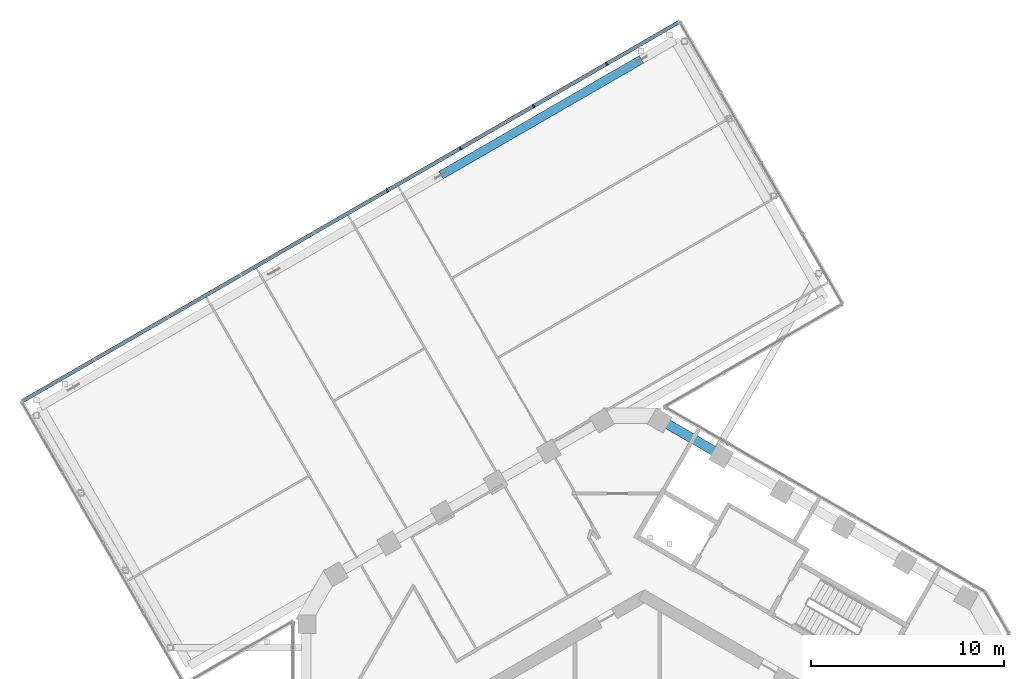
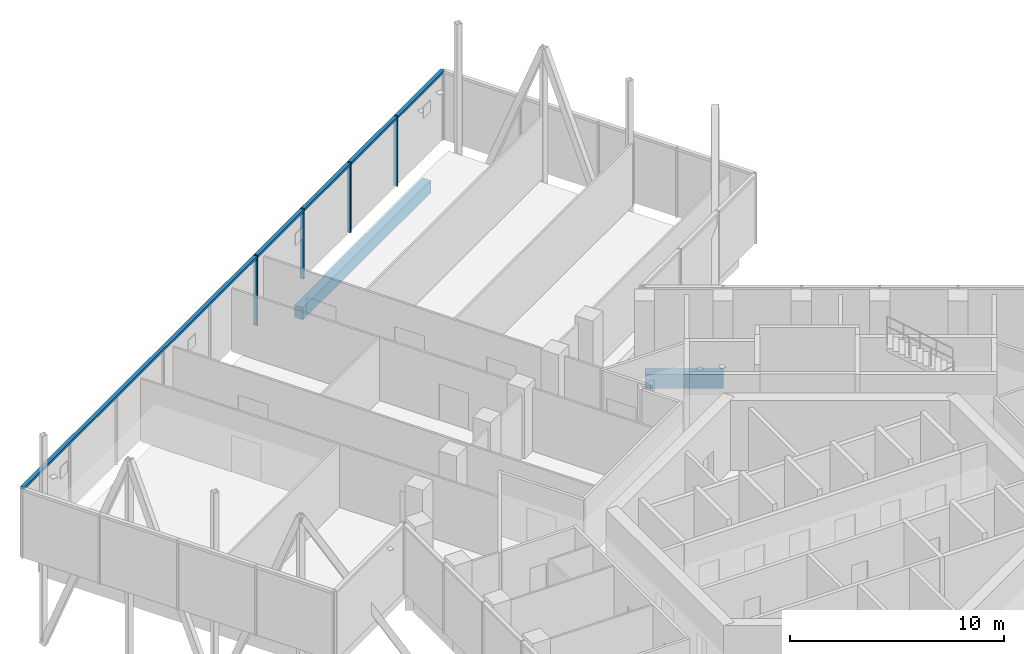
# One storey, part 6 of 21: 5 members, 2 beams, 1 element without a shape of its own.
"""IFC4 building model written with IfcOpenShell, lengths in metres."""

import ifcopenshell
import ifcopenshell.guid

model = None  # the IFC model being written
_history = None  # IfcOwnerHistory: only IFC2X3 demands one
_inside = {}  # id of a spatial element -> (the spatial element, [elements in it])
_under = {}  # id of a project, library or spatial element -> (it, [spatial elements below it])
_declared = {}  # id of a project -> (the project, [libraries it declares])
_typed = {}  # id of a type object -> (the type object, [elements of that type])
_made_of = {}  # id of a material, layer set ... -> (it, [elements and type objects made of it])


def new_model(schema):
    """Start an empty IFC model of exactly this schema.

    Asked for "IFC4X3", IfcOpenShell would pick the latest addendum, in which some entities
    have other attributes; the version numbers below select the first issue.
    IFC2X3 requires an IfcOwnerHistory on every rooted entity: one is made here for all.
    """
    global model, _history
    if schema == "IFC4X3":
        model = ifcopenshell.file(schema_version=(4, 3, 0, 0))
    else:
        model = ifcopenshell.file(schema=schema)
    _inside.clear()
    _under.clear()
    _declared.clear()
    _typed.clear()
    _made_of.clear()
    _history = None
    if model.schema == "IFC2X3":
        org = make("IfcOrganization", Name="unknown")
        user = make(
            "IfcPersonAndOrganization",
            ThePerson=make("IfcPerson", FamilyName="unknown"),
            TheOrganization=org,
        )
        app = make(
            "IfcApplication",
            ApplicationDeveloper=org,
            Version="unknown",
            ApplicationFullName="unknown",
            ApplicationIdentifier="unknown",
        )
        _history = make(
            "IfcOwnerHistory",
            OwningUser=user,
            OwningApplication=app,
            ChangeAction="ADDED",
            CreationDate=0,
        )
    return model


def make(cls, **values):
    """One entity of the class cls with the attributes given. An attribute that is None is left unset."""
    return model.create_entity(
        cls, **{name: value for name, value in values.items() if value is not None}
    )


def rooted(cls, **values):
    """An entity with a GlobalId (a new one), such as an element, a storey or a relation."""
    return make(cls, GlobalId=ifcopenshell.guid.new(), OwnerHistory=_history, **values)


def si_unit(unit_type, name, prefix=None):
    """IfcSIUnit, for example si_unit("LENGTHUNIT", "METRE", prefix="MILLI")."""
    return make("IfcSIUnit", UnitType=unit_type, Prefix=prefix, Name=name)


def assignment(units):
    """IfcUnitAssignment: the units of a project."""
    return None if units is None else make("IfcUnitAssignment", Units=units)


def point(xyz):
    """IfcCartesianPoint."""
    return None if xyz is None else make("IfcCartesianPoint", Coordinates=xyz)


def direction(xyz):
    """IfcDirection."""
    return None if xyz is None else make("IfcDirection", DirectionRatios=xyz)


def frame(location, z_axis=None, x_axis=None):
    """IfcAxis2Placement3D, a coordinate frame: its origin and axes. An axis left out is left unset."""
    return make(
        "IfcAxis2Placement3D",
        Location=point(location),
        Axis=direction(z_axis),
        RefDirection=direction(x_axis),
    )


def frame_2d(location, x_axis=None):
    """IfcAxis2Placement2D, a coordinate frame in the plane: its origin and x axis."""
    return make(
        "IfcAxis2Placement2D", Location=point(location), RefDirection=direction(x_axis)
    )


def origin():
    """The frame at (0, 0, 0) with its axes left unset."""
    return frame((0.0, 0.0, 0.0))


def origin_2d():
    """The frame at (0, 0) in the plane with its x axis left unset."""
    return frame_2d((0.0, 0.0))


def place(relative_to, where):
    """IfcLocalPlacement: puts the frame where relative to a parent placement (None: the world)."""
    return make(
        "IfcLocalPlacement", PlacementRelTo=relative_to, RelativePlacement=where
    )


def context(
    kind, dimensions, precision=None, world=None, true_north=None, identifier=None
):
    """IfcGeometricRepresentationContext, for example the 3D "Model" context."""
    return make(
        "IfcGeometricRepresentationContext",
        ContextIdentifier=identifier,
        ContextType=kind,
        CoordinateSpaceDimension=dimensions,
        Precision=precision,
        WorldCoordinateSystem=world,
        TrueNorth=true_north,
    )


def subcontext(parent, identifier, kind, view, scale=None):
    """IfcGeometricRepresentationSubContext, for example "Body" below "Model"."""
    return make(
        "IfcGeometricRepresentationSubContext",
        ContextIdentifier=identifier,
        ContextType=kind,
        ParentContext=parent,
        TargetScale=scale,
        TargetView=view,
    )


def project(units=None, contexts=None):
    """IfcProject with its units and contexts."""
    return rooted(
        "IfcProject",
        Name="project",
        RepresentationContexts=contexts,
        UnitsInContext=assignment(units),
    )


def spatial(cls, under=None, at=None, **own):
    """A site, building, storey or space (cls), placed at a placement, below another one or the project."""
    s = rooted(cls, ObjectPlacement=at, **own)
    if under is not None:
        _under.setdefault(under.id(), (under, []))[1].append(s)
    return s


def profile(cls, at=None, kind="AREA", **sizes):
    """A parametric profile (cls). Its sizes go by their IFC names, for example OverallWidth=200.0."""
    return make(cls, ProfileType=kind, Position=at, **sizes)


def rectangle(**sizes):
    """IfcRectangleProfileDef."""
    return profile("IfcRectangleProfileDef", **sizes)


def extrude(swept, where, along, depth):
    """IfcExtrudedAreaSolid: the profile swept, set in the frame where, extruded along a direction by depth."""
    return make(
        "IfcExtrudedAreaSolid",
        SweptArea=swept,
        Position=where,
        ExtrudedDirection=direction(along),
        Depth=depth,
    )


def shape(context_of_items, identifier, shape_type, items):
    """IfcShapeRepresentation: the items that make up one representation, for example the "Body"."""
    return make(
        "IfcShapeRepresentation",
        ContextOfItems=context_of_items,
        RepresentationIdentifier=identifier,
        RepresentationType=shape_type,
        Items=items,
    )


def material(Name=None, Category=None):
    """IfcMaterial."""
    return make("IfcMaterial", Name=Name, Category=Category)


def layer(
    of_material, thickness, ventilated=None, Name=None, Category=None, Priority=None
):
    """IfcMaterialLayer: one layer of a wall or slab, of a material (None: an air gap)."""
    return make(
        "IfcMaterialLayer",
        Material=of_material,
        LayerThickness=thickness,
        IsVentilated=ventilated,
        Name=Name,
        Category=Category,
        Priority=Priority,
    )


def layer_set(layers, Name=None):
    """IfcMaterialLayerSet."""
    return make("IfcMaterialLayerSet", MaterialLayers=layers, LayerSetName=Name)


def material_profile(
    of_material, cross_section, Name=None, Category=None, Priority=None
):
    """IfcMaterialProfile: a cross section and its material."""
    return make(
        "IfcMaterialProfile",
        Name=Name,
        Material=of_material,
        Profile=cross_section,
        Priority=Priority,
        Category=Category,
    )


def profile_set(profiles, Name=None, composite=None):
    """IfcMaterialProfileSet."""
    return make(
        "IfcMaterialProfileSet",
        Name=Name,
        MaterialProfiles=profiles,
        CompositeProfile=composite,
    )


def made_of(thing, what):
    """Note that an element or type object is made of a material, layer set ...; save() writes the relation."""
    if what is not None:
        _made_of.setdefault(what.id(), (what, []))[1].append(thing)
    return thing


def type_object(cls, material=None, **own):
    """A type object (cls), such as IfcWallType, which elements share."""
    return made_of(rooted(cls, **own), material)


def element(
    cls,
    number,
    at=None,
    inside=None,
    cuts=None,
    type_object=None,
    material=None,
    context=None,
    identifier="Body",
    shape_type=None,
    held_by="IfcProductDefinitionShape",
    body=None,
    shapes=None,
    **own,
):
    """One element of the class cls, such as IfcWall. Its Tag is "e" and its number.

    at: its placement. inside: the storey or other place that contains it. cuts: it is an
    opening in that element (IfcRelVoidsElement). A single representation is given by context,
    identifier, shape_type and body (its items); several are given by shapes. held_by: the class
    of the entity that holds the representations. save() writes the other relations.
    """
    e = rooted(cls, Tag="e%d" % number, ObjectPlacement=at, **own)
    if body is not None:
        shapes = [shape(context, identifier, shape_type, body)]
    if shapes is not None:
        e.Representation = make(held_by, Representations=shapes)
    if inside is not None:
        _inside.setdefault(inside.id(), (inside, []))[1].append(e)
    if cuts is not None:
        rooted(
            "IfcRelVoidsElement", RelatingBuildingElement=cuts, RelatedOpeningElement=e
        )
    if type_object is not None:
        _typed.setdefault(type_object.id(), (type_object, []))[1].append(e)
    return made_of(e, material)


def aggregate(whole, parts):
    """IfcRelAggregates: a whole, such as a stair, and the parts it consists of."""
    return rooted("IfcRelAggregates", RelatingObject=whole, RelatedObjects=parts)


def save(model, path):
    """Write the relations noted so far, then the file.

    IfcRelAggregates (storeys below a building ...), IfcRelContainedInSpatialStructure (elements
    in a storey), IfcRelDefinesByType, IfcRelAssociatesMaterial and IfcRelDeclares: one each for
    every whole, place, type object, material and project.
    """
    for whole, parts in _under.values():
        aggregate(whole, parts)
    for where, things in _inside.values():
        rooted(
            "IfcRelContainedInSpatialStructure",
            RelatedElements=things,
            RelatingStructure=where,
        )
    for kind, things in _typed.values():
        rooted("IfcRelDefinesByType", RelatedObjects=things, RelatingType=kind)
    for what, things in _made_of.values():
        rooted("IfcRelAssociatesMaterial", RelatedObjects=things, RelatingMaterial=what)
    for by, libraries in _declared.values():
        rooted("IfcRelDeclares", RelatingContext=by, RelatedDefinitions=libraries)
    model.write(path)


model = new_model("IFC4")

# Units and contexts
model_context = context("Model", 3, precision=1e-05, world=origin(), true_north=direction((0.0, 1.0)))
body_context = subcontext(model_context, "Body", "Model", "MODEL_VIEW")
ifc_project = project(units=[si_unit("LENGTHUNIT", "METRE"), si_unit("AREAUNIT", "SQUARE_METRE"), si_unit("VOLUMEUNIT", "CUBIC_METRE"), si_unit("PLANEANGLEUNIT", "RADIAN"), si_unit("MASSUNIT", "GRAM", prefix="KILO")], contexts=[model_context])

# Site, building, storey
site_placement = place(None, origin())
site = spatial("IfcSite", under=ifc_project, at=site_placement, CompositionType="ELEMENT")
building_placement = place(site_placement, origin())
building = spatial("IfcBuilding", under=site, at=building_placement, Name="Ayvan Gate Tower", CompositionType="ELEMENT")
storey_placement = place(building_placement, frame((0.0, 0.0, 190.699951171875)))
storey = spatial("IfcBuildingStorey", under=building, at=storey_placement, Name="L51", CompositionType="ELEMENT", Elevation=190.699951171875)

# Beams
ifc_material_1 = material(Name="Concrete C40/50", Category="concrete")
ifc_material_profile_1 = material_profile(ifc_material_1, rectangle(XDim=0.449951171875, YDim=0.699951171875, at=origin_2d()), Name="RC 450x700")
ifc_profile_set_1 = profile_set([ifc_material_profile_1], Name="Concrete C40/50")
beam_type_1 = type_object("IfcBeamType", Name="Sky bar edge beam RC 450x700 C40/50", PredefinedType="BEAM", material=ifc_profile_set_1)
beam_1_placement = place(storey_placement, frame((-10.54443359375, 32.463623046875, -0.75), z_axis=(0.866026010844, 0.49999894854, 0.0), x_axis=(-0.49999894854, 0.866026010844, 0.0)))
element("IfcBeam", 1, at=beam_1_placement, inside=storey, type_object=beam_type_1, Name="EB-B4-L51-6", PredefinedType="BEAM", context=body_context, shape_type="SweptSolid", body=[
    extrude(rectangle(XDim=0.449951171875, YDim=0.699951171875, at=origin_2d()), origin(), (0.0, 0.0, 1.0), 12.0),
])
ifc_material_profile_2 = material_profile(ifc_material_1, rectangle(XDim=0.5, YDim=0.800048828125, at=origin_2d()), Name="RC 500x800")
ifc_profile_set_2 = profile_set([ifc_material_profile_2], Name="Concrete C40/50")
beam_type_2 = type_object("IfcBeamType", Name="Spandrel beam RC 500x800 C40/50", PredefinedType="BEAM", material=ifc_profile_set_2)
beam_2_placement = place(storey_placement, frame((4.017822265625, 17.930419921875, -0.800048828125), z_axis=(-0.866024393287, 0.500001750229, 0.0), x_axis=(-0.500001750229, -0.866024393287, 0.0)))
element("IfcBeam", 2, at=beam_2_placement, inside=storey, type_object=beam_type_2, Name="SB-L51-11", PredefinedType="BEAM", context=body_context, shape_type="SweptSolid", body=[
    extrude(rectangle(XDim=0.5, YDim=0.800048828125, at=origin_2d()), origin(), (0.0, 0.0, 1.0), 3.6572265625),
])

# Curtain wall, members
ifc_material_2 = material(Name="Bronze anodised aluminium", Category="aluminium")
ifc_layer = layer(ifc_material_2, 0.199951171875)
ifc_layer_set = layer_set([ifc_layer], Name="Bronze anodised aluminium")
curtain_wall_type = type_object("IfcCurtainWallType", Name="Stick curtain wall CW-4", PredefinedType="NOTDEFINED", material=ifc_layer_set)
curtain_wall_placement = place(storey_placement, origin())
curtain_wall = element("IfcCurtainWall", 3, at=curtain_wall_placement, inside=storey, type_object=curtain_wall_type, Name="Stick curtain wall CW-4 L51", PredefinedType="NOTDEFINED")
ifc_material_profile_3 = material_profile(ifc_material_2, rectangle(XDim=0.199951171875, YDim=0.080078125, at=origin_2d()), Name="Stick curtain wall CW-4 mullion 200 x 80")
ifc_profile_set_3 = profile_set([ifc_material_profile_3], Name="Bronze anodised aluminium")
member_type_1 = type_object("IfcMemberType", Name="Stick curtain wall CW-4 mullion 200 x 80", PredefinedType="MULLION", material=ifc_profile_set_3)
member_1_placement = place(storey_placement, frame((-1.955078125, 38.23095703125, 0.0), z_axis=(0.0, 0.0, 1.0), x_axis=(-0.5, 0.866025403784, 0.0)))
member_1 = element("IfcMember", 4, at=member_1_placement, type_object=member_type_1, Name="CW-4 mullion 2", PredefinedType="MULLION", context=body_context, shape_type="SweptSolid", body=[
    extrude(rectangle(XDim=0.199951171875, YDim=0.080078125, at=origin_2d()), origin(), (0.0, 0.0, 1.0), 4.0),
])
member_2_placement = place(storey_placement, frame((-5.746337890625, 36.0419921875, 0.0), z_axis=(0.0, 0.0, 1.0), x_axis=(-0.5, 0.866025403784, 0.0)))
member_2 = element("IfcMember", 5, at=member_2_placement, type_object=member_type_1, Name="CW-4 mullion 3", PredefinedType="MULLION", context=body_context, shape_type="SweptSolid", body=[
    extrude(rectangle(XDim=0.199951171875, YDim=0.080078125, at=origin_2d()), origin(), (0.0, 0.0, 1.0), 4.0),
])
member_3_placement = place(storey_placement, frame((-9.53759765625, 33.85302734375, 0.0), z_axis=(0.0, 0.0, 1.0), x_axis=(-0.5, 0.866025403784, 0.0)))
member_3 = element("IfcMember", 6, at=member_3_placement, type_object=member_type_1, Name="CW-4 mullion 4", PredefinedType="MULLION", context=body_context, shape_type="SweptSolid", body=[
    extrude(rectangle(XDim=0.199951171875, YDim=0.080078125, at=origin_2d()), origin(), (0.0, 0.0, 1.0), 4.0),
])
member_4_placement = place(storey_placement, frame((-13.3291015625, 31.664306640625, 0.0), z_axis=(0.0, 0.0, 1.0), x_axis=(-0.5, 0.866025403784, 0.0)))
member_4 = element("IfcMember", 7, at=member_4_placement, type_object=member_type_1, Name="CW-4 mullion 5", PredefinedType="MULLION", context=body_context, shape_type="SweptSolid", body=[
    extrude(rectangle(XDim=0.199951171875, YDim=0.080078125, at=origin_2d()), origin(), (0.0, 0.0, 1.0), 4.0),
])
ifc_material_profile_4 = material_profile(ifc_material_2, rectangle(XDim=0.199951171875, YDim=0.139892578125, at=origin_2d()), Name="Stick curtain wall CW-4 transom 200 x 140")
ifc_profile_set_4 = profile_set([ifc_material_profile_4], Name="Bronze anodised aluminium")
member_type_2 = type_object("IfcMemberType", Name="Stick curtain wall CW-4 transom 200 x 140", PredefinedType="USERDEFINED", material=ifc_profile_set_4)
member_5_placement = place(storey_placement, frame((1.801513671875, 40.39990234375, 3.929931640625), z_axis=(-0.866024491936, -0.500001579365, 0.0), x_axis=(0.500001579365, -0.866024491936, 0.0)))
member_5 = element("IfcMember", 8, at=member_5_placement, type_object=member_type_2, Name="CW-4 transom 1", ObjectType="TRANSOM", PredefinedType="USERDEFINED", context=body_context, shape_type="SweptSolid", body=[
    extrude(rectangle(XDim=0.199951171875, YDim=0.139892578125, at=origin_2d()), origin(), (0.0, 0.0, 1.0), 39.320068359375),
])
aggregate(curtain_wall, [member_1, member_2, member_3, member_4, member_5])

save(model, "model.ifc")
